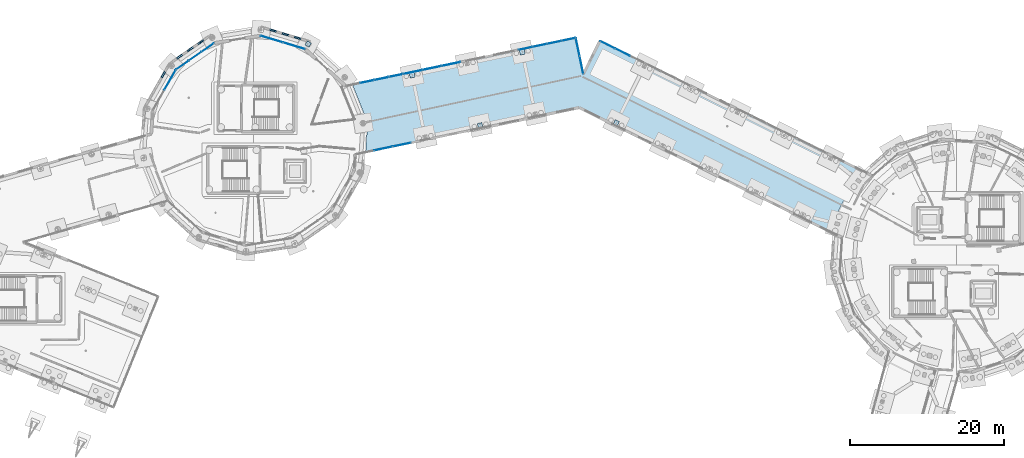
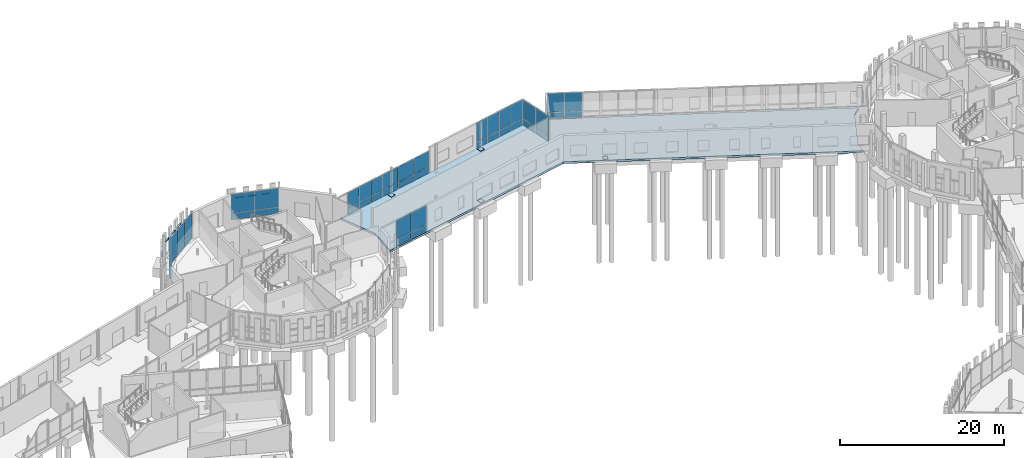
# One storey, part 70 of 113: 56 plates, 1 slab, 9 elements without a shape of their own.
"""IFC4 building model written with IfcOpenShell, lengths in metres."""

from ifc_helpers import new_model, si_unit, direction, frame, origin, origin_2d, place, context, subcontext, project, spatial, polyline, rectangle, outline, extrude, material, layer, layer_set, type_object, element, aggregate, save


model = new_model("IFC4")

# Units and contexts
model_context = context("Model", 3, precision=1e-05, world=origin(), true_north=direction((0.0, 1.0)))
body_context = subcontext(model_context, "Body", "Model", "MODEL_VIEW")
ifc_project = project(units=[si_unit("LENGTHUNIT", "METRE"), si_unit("AREAUNIT", "SQUARE_METRE"), si_unit("VOLUMEUNIT", "CUBIC_METRE"), si_unit("PLANEANGLEUNIT", "RADIAN"), si_unit("MASSUNIT", "GRAM", prefix="KILO")], contexts=[model_context])

# Site, building, storey
site_placement = place(None, origin())
site = spatial("IfcSite", under=ifc_project, at=site_placement, CompositionType="ELEMENT")
building_placement = place(site_placement, origin())
building = spatial("IfcBuilding", under=site, at=building_placement, Name="Wrenclough Park School", CompositionType="ELEMENT")
storey_placement = place(building_placement, origin())
storey = spatial("IfcBuildingStorey", under=building, at=storey_placement, Name="L00", CompositionType="ELEMENT", Elevation=0.0)

# Curtain wall, plates
ifc_material_1 = material(Name="Thermally broken aluminium and low-e glass curtain wall", Category="aluminium")
curtain_wall_type_1 = type_object("IfcCurtainWallType", Name="ENV-CW-13", PredefinedType="USERDEFINED", material=ifc_material_1)
curtain_wall_1_placement = place(storey_placement, origin())
curtain_wall_1 = element("IfcCurtainWall", 1, at=curtain_wall_1_placement, inside=storey, type_object=curtain_wall_type_1, Name="L00 recessed curtain wall assembly 012", ObjectType="CURTAIN WALL", PredefinedType="USERDEFINED")
ifc_material_2 = material(Name="Double-glazed solar-control low-e glass", Category="glass")
ifc_layer_1 = layer(ifc_material_2, 0.02587890625)
ifc_layer_set_1 = layer_set([ifc_layer_1], Name="Double-glazed solar-control low-e glass")
plate_type_1 = type_object("IfcPlateType", Name="ENV-CWP-GL26", PredefinedType="CURTAIN_PANEL", material=ifc_layer_set_1)
plate_1_placement = place(storey_placement, frame((73.753173828125, 118.3154296875, 0.06005859375), z_axis=(0.0, 0.0, 1.0), x_axis=(0.822000846783, 0.569486266638, 0.0)))
plate_1 = element("IfcPlate", 2, at=plate_1_placement, type_object=plate_type_1, Name="CW-13 panel 1.1", PredefinedType="CURTAIN_PANEL", context=body_context, shape_type="SweptSolid", body=[
    extrude(rectangle(XDim=1.93603515625, YDim=0.02587890625, at=origin_2d()), origin(), (0.0, 0.0, 1.0), 0.9599609375),
])
plate_2_placement = place(storey_placement, frame((73.753173828125, 118.3154296875, 1.080078125), z_axis=(0.0, 0.0, 1.0), x_axis=(0.822000846783, 0.569486266638, 0.0)))
plate_2 = element("IfcPlate", 3, at=plate_2_placement, type_object=plate_type_1, Name="CW-13 panel 1.2", PredefinedType="CURTAIN_PANEL", context=body_context, shape_type="SweptSolid", body=[
    extrude(rectangle(XDim=1.93603515625, YDim=0.02587890625, at=origin_2d()), origin(), (0.0, 0.0, 1.0), 2.800048828125),
])
plate_3_placement = place(storey_placement, frame((75.406494140625, 119.460693359375, 0.06005859375), z_axis=(0.0, 0.0, 1.0), x_axis=(0.822000846783, 0.569486266638, 0.0)))
plate_3 = element("IfcPlate", 4, at=plate_3_placement, type_object=plate_type_1, Name="CW-13 panel 2.1", PredefinedType="CURTAIN_PANEL", context=body_context, shape_type="SweptSolid", body=[
    extrude(rectangle(XDim=1.966064453125, YDim=0.02587890625, at=origin_2d()), origin(), (0.0, 0.0, 1.0), 0.9599609375),
])
plate_4_placement = place(storey_placement, frame((75.406494140625, 119.460693359375, 1.080078125), z_axis=(0.0, 0.0, 1.0), x_axis=(0.822000846783, 0.569486266638, 0.0)))
plate_4 = element("IfcPlate", 5, at=plate_4_placement, type_object=plate_type_1, Name="CW-13 panel 2.2", PredefinedType="CURTAIN_PANEL", context=body_context, shape_type="SweptSolid", body=[
    extrude(rectangle(XDim=1.966064453125, YDim=0.02587890625, at=origin_2d()), origin(), (0.0, 0.0, 1.0), 2.800048828125),
])
plate_5_placement = place(storey_placement, frame((77.0595703125, 120.60595703125, 0.06005859375), z_axis=(0.0, 0.0, 1.0), x_axis=(0.822000846783, 0.569486266638, 0.0)))
plate_5 = element("IfcPlate", 6, at=plate_5_placement, type_object=plate_type_1, Name="CW-13 panel 3.1", PredefinedType="CURTAIN_PANEL", context=body_context, shape_type="SweptSolid", body=[
    extrude(rectangle(XDim=1.93603515625, YDim=0.02587890625, at=origin_2d()), origin(), (0.0, 0.0, 1.0), 0.9599609375),
])
plate_6_placement = place(storey_placement, frame((77.0595703125, 120.60595703125, 1.080078125), z_axis=(0.0, 0.0, 1.0), x_axis=(0.822000846783, 0.569486266638, 0.0)))
plate_6 = element("IfcPlate", 7, at=plate_6_placement, type_object=plate_type_1, Name="CW-13 panel 3.2", PredefinedType="CURTAIN_PANEL", context=body_context, shape_type="SweptSolid", body=[
    extrude(rectangle(XDim=1.93603515625, YDim=0.02587890625, at=origin_2d()), origin(), (0.0, 0.0, 1.0), 2.800048828125),
])
aggregate(curtain_wall_1, [plate_1, plate_2, plate_3, plate_4, plate_5, plate_6])

curtain_wall_type_2 = type_object("IfcCurtainWallType", Name="ENV-CW-01", PredefinedType="USERDEFINED", material=ifc_material_1)
curtain_wall_2_placement = place(storey_placement, origin())
curtain_wall_2 = element("IfcCurtainWall", 8, at=curtain_wall_2_placement, inside=storey, type_object=curtain_wall_type_2, Name="L00 recessed curtain wall assembly 016", ObjectType="CURTAIN WALL", PredefinedType="USERDEFINED")
plate_7_placement = place(storey_placement, frame((118.43017578125, 120.49267578125, 0.06494140625), z_axis=(0.0, 0.0, 1.0), x_axis=(0.978788978052, 0.204871023923, 0.0)))
plate_7 = element("IfcPlate", 9, at=plate_7_placement, type_object=plate_type_1, Name="CW-01 panel 1.1", PredefinedType="CURTAIN_PANEL", context=body_context, shape_type="SweptSolid", body=[
    extrude(rectangle(XDim=1.8134765625, YDim=0.02587890625, at=origin_2d()), origin(), (0.0, 0.0, 1.0), 0.952392578125),
])
plate_8_placement = place(storey_placement, frame((118.43017578125, 120.49267578125, 1.08251953125), z_axis=(0.0, 0.0, 1.0), x_axis=(0.978788978052, 0.204871023923, 0.0)))
plate_8 = element("IfcPlate", 10, at=plate_8_placement, type_object=plate_type_1, Name="CW-01 panel 1.2", PredefinedType="CURTAIN_PANEL", context=body_context, shape_type="SweptSolid", body=[
    extrude(rectangle(XDim=1.8134765625, YDim=0.02587890625, at=origin_2d()), origin(), (0.0, 0.0, 1.0), 2.79248046875),
])
plate_9_placement = place(storey_placement, frame((120.28466796875, 120.880859375, 0.06494140625), z_axis=(0.0, 0.0, 1.0), x_axis=(0.978788978052, 0.204871023923, 0.0)))
plate_9 = element("IfcPlate", 11, at=plate_9_placement, type_object=plate_type_1, Name="CW-01 panel 2.1", PredefinedType="CURTAIN_PANEL", context=body_context, shape_type="SweptSolid", body=[
    extrude(rectangle(XDim=1.845947265625, YDim=0.02587890625, at=origin_2d()), origin(), (0.0, 0.0, 1.0), 0.952392578125),
])
plate_10_placement = place(storey_placement, frame((120.28466796875, 120.880859375, 1.08251953125), z_axis=(0.0, 0.0, 1.0), x_axis=(0.978788978052, 0.204871023923, 0.0)))
plate_10 = element("IfcPlate", 12, at=plate_10_placement, type_object=plate_type_1, Name="CW-01 panel 2.2", PredefinedType="CURTAIN_PANEL", context=body_context, shape_type="SweptSolid", body=[
    extrude(rectangle(XDim=1.845947265625, YDim=0.02587890625, at=origin_2d()), origin(), (0.0, 0.0, 1.0), 2.79248046875),
])
plate_11_placement = place(storey_placement, frame((122.1552734375, 121.272216796875, 0.06494140625), z_axis=(0.0, 0.0, 1.0), x_axis=(0.978788978052, 0.204871023923, 0.0)))
plate_11 = element("IfcPlate", 13, at=plate_11_placement, type_object=plate_type_1, Name="CW-01 panel 3.1", PredefinedType="CURTAIN_PANEL", context=body_context, shape_type="SweptSolid", body=[
    extrude(rectangle(XDim=1.845947265625, YDim=0.02587890625, at=origin_2d()), origin(), (0.0, 0.0, 1.0), 0.952392578125),
])
plate_12_placement = place(storey_placement, frame((122.1552734375, 121.272216796875, 1.08251953125), z_axis=(0.0, 0.0, 1.0), x_axis=(0.978788978052, 0.204871023923, 0.0)))
plate_12 = element("IfcPlate", 14, at=plate_12_placement, type_object=plate_type_1, Name="CW-01 panel 3.2", PredefinedType="CURTAIN_PANEL", context=body_context, shape_type="SweptSolid", body=[
    extrude(rectangle(XDim=1.845947265625, YDim=0.02587890625, at=origin_2d()), origin(), (0.0, 0.0, 1.0), 2.79248046875),
])
plate_13_placement = place(storey_placement, frame((124.009765625, 121.660400390625, 0.06494140625), z_axis=(0.0, 0.0, 1.0), x_axis=(0.978788978052, 0.204871023923, 0.0)))
plate_13 = element("IfcPlate", 15, at=plate_13_placement, type_object=plate_type_1, Name="CW-01 panel 4.1", PredefinedType="CURTAIN_PANEL", context=body_context, shape_type="SweptSolid", body=[
    extrude(rectangle(XDim=1.8134765625, YDim=0.02587890625, at=origin_2d()), origin(), (0.0, 0.0, 1.0), 0.952392578125),
])
plate_14_placement = place(storey_placement, frame((124.009765625, 121.660400390625, 1.08251953125), z_axis=(0.0, 0.0, 1.0), x_axis=(0.978788978052, 0.204871023923, 0.0)))
plate_14 = element("IfcPlate", 16, at=plate_14_placement, type_object=plate_type_1, Name="CW-01 panel 4.2", PredefinedType="CURTAIN_PANEL", context=body_context, shape_type="SweptSolid", body=[
    extrude(rectangle(XDim=1.8134765625, YDim=0.02587890625, at=origin_2d()), origin(), (0.0, 0.0, 1.0), 2.79248046875),
])
aggregate(curtain_wall_2, [plate_7, plate_8, plate_9, plate_10, plate_11, plate_12, plate_13, plate_14])

curtain_wall_type_3 = type_object("IfcCurtainWallType", Name="ENV-CW-02", PredefinedType="USERDEFINED", material=ifc_material_1)
curtain_wall_3_placement = place(storey_placement, origin())
curtain_wall_3 = element("IfcCurtainWall", 17, at=curtain_wall_3_placement, inside=storey, type_object=curtain_wall_type_3, Name="L00 recessed curtain wall assembly 017", ObjectType="CURTAIN WALL", PredefinedType="USERDEFINED")
ifc_material_3 = material(Name="Double-glazed acoustic low-e glass", Category="glass")
ifc_layer_2 = layer(ifc_material_3, 0.030029296875)
ifc_layer_set_2 = layer_set([ifc_layer_2], Name="Double-glazed acoustic low-e glass")
plate_type_2 = type_object("IfcPlateType", Name="ENV-CWP-GL30", PredefinedType="CURTAIN_PANEL", material=ifc_layer_set_2)
plate_15_placement = place(storey_placement, frame((125.2158203125, 120.66015625, 0.06982421875), z_axis=(0.0, 0.0, 1.0), x_axis=(0.20487147589, -0.978788883451, 0.0)))
plate_15 = element("IfcPlate", 18, at=plate_15_placement, type_object=plate_type_2, Name="CW-02 panel 1.1", PredefinedType="CURTAIN_PANEL", context=body_context, shape_type="SweptSolid", body=[
    extrude(rectangle(XDim=2.304443359375, YDim=0.030029296875, at=origin_2d()), origin(), (0.0, 0.0, 1.0), 0.945068359375),
])
plate_16_placement = place(storey_placement, frame((125.2158203125, 120.66015625, 1.0849609375), z_axis=(0.0, 0.0, 1.0), x_axis=(0.20487147589, -0.978788883451, 0.0)))
plate_16 = element("IfcPlate", 19, at=plate_16_placement, type_object=plate_type_2, Name="CW-02 panel 1.2", PredefinedType="CURTAIN_PANEL", context=body_context, shape_type="SweptSolid", body=[
    extrude(rectangle(XDim=2.304443359375, YDim=0.030029296875, at=origin_2d()), origin(), (0.0, 0.0, 1.0), 2.784912109375),
])
plate_17_placement = place(storey_placement, frame((125.702392578125, 118.3359375, 0.06982421875), z_axis=(0.0, 0.0, 1.0), x_axis=(0.20487147589, -0.978788883451, 0.0)))
plate_17 = element("IfcPlate", 20, at=plate_17_placement, type_object=plate_type_2, Name="CW-02 panel 2.1", PredefinedType="CURTAIN_PANEL", context=body_context, shape_type="SweptSolid", body=[
    extrude(rectangle(XDim=2.304443359375, YDim=0.030029296875, at=origin_2d()), origin(), (0.0, 0.0, 1.0), 0.945068359375),
])
plate_18_placement = place(storey_placement, frame((125.702392578125, 118.3359375, 1.0849609375), z_axis=(0.0, 0.0, 1.0), x_axis=(0.20487147589, -0.978788883451, 0.0)))
plate_18 = element("IfcPlate", 21, at=plate_18_placement, type_object=plate_type_2, Name="CW-02 panel 2.2", PredefinedType="CURTAIN_PANEL", context=body_context, shape_type="SweptSolid", body=[
    extrude(rectangle(XDim=2.304443359375, YDim=0.030029296875, at=origin_2d()), origin(), (0.0, 0.0, 1.0), 2.784912109375),
])
aggregate(curtain_wall_3, [plate_15, plate_16, plate_17, plate_18])

curtain_wall_4_placement = place(storey_placement, origin())
curtain_wall_4 = element("IfcCurtainWall", 22, at=curtain_wall_4_placement, inside=storey, type_object=curtain_wall_type_3, Name="L00 recessed curtain wall assembly 065", ObjectType="CURTAIN WALL", PredefinedType="USERDEFINED")
plate_19_placement = place(storey_placement, frame((102.297607421875, 107.9619140625, 0.06982421875), z_axis=(0.0, 0.0, 1.0), x_axis=(-0.978788431396, -0.204873635602, 0.0)))
plate_19 = element("IfcPlate", 23, at=plate_19_placement, type_object=plate_type_2, Name="CW-02 panel 1.1", PredefinedType="CURTAIN_PANEL", context=body_context, shape_type="SweptSolid", body=[
    extrude(rectangle(XDim=2.375, YDim=0.030029296875, at=origin_2d()), origin(), (0.0, 0.0, 1.0), 0.945068359375),
])
plate_20_placement = place(storey_placement, frame((102.297607421875, 107.9619140625, 1.0849609375), z_axis=(0.0, 0.0, 1.0), x_axis=(-0.978788431396, -0.204873635602, 0.0)))
plate_20 = element("IfcPlate", 24, at=plate_20_placement, type_object=plate_type_2, Name="CW-02 panel 1.2", PredefinedType="CURTAIN_PANEL", context=body_context, shape_type="SweptSolid", body=[
    extrude(rectangle(XDim=2.375, YDim=0.030029296875, at=origin_2d()), origin(), (0.0, 0.0, 1.0), 2.784912109375),
])
plate_21_placement = place(storey_placement, frame((99.887451171875, 107.45751953125, 0.06982421875), z_axis=(0.0, 0.0, 1.0), x_axis=(-0.978788431396, -0.204873635602, 0.0)))
plate_21 = element("IfcPlate", 25, at=plate_21_placement, type_object=plate_type_2, Name="CW-02 panel 2.1", PredefinedType="CURTAIN_PANEL", context=body_context, shape_type="SweptSolid", body=[
    extrude(rectangle(XDim=2.409912109375, YDim=0.030029296875, at=origin_2d()), origin(), (0.0, 0.0, 1.0), 0.945068359375),
])
plate_22_placement = place(storey_placement, frame((99.887451171875, 107.45751953125, 1.0849609375), z_axis=(0.0, 0.0, 1.0), x_axis=(-0.978788431396, -0.204873635602, 0.0)))
plate_22 = element("IfcPlate", 26, at=plate_22_placement, type_object=plate_type_2, Name="CW-02 panel 2.2", PredefinedType="CURTAIN_PANEL", context=body_context, shape_type="SweptSolid", body=[
    extrude(rectangle(XDim=2.409912109375, YDim=0.030029296875, at=origin_2d()), origin(), (0.0, 0.0, 1.0), 2.784912109375),
])
aggregate(curtain_wall_4, [plate_19, plate_20, plate_21, plate_22])

curtain_wall_type_4 = type_object("IfcCurtainWallType", Name="ENV-CW-03", PredefinedType="USERDEFINED", material=ifc_material_1)
curtain_wall_5_placement = place(storey_placement, origin())
curtain_wall_5 = element("IfcCurtainWall", 27, at=curtain_wall_5_placement, inside=storey, type_object=curtain_wall_type_4, Name="L00 recessed curtain wall assembly 018", ObjectType="CURTAIN WALL", PredefinedType="USERDEFINED")
ifc_material_4 = material(Name="Triple-glazed senior-lab low-e glass", Category="glass")
ifc_layer_3 = layer(ifc_material_4, 0.033935546875)
ifc_layer_set_3 = layer_set([ifc_layer_3], Name="Triple-glazed senior-lab low-e glass")
plate_type_3 = type_object("IfcPlateType", Name="ENV-CWP-GL34", PredefinedType="CURTAIN_PANEL", material=ifc_layer_set_3)
plate_23_placement = place(storey_placement, frame((129.096923828125, 120.9658203125, 0.06005859375), z_axis=(0.0, 0.0, 1.0), x_axis=(0.896268771377, -0.443511318294, 0.0)))
plate_23 = element("IfcPlate", 28, at=plate_23_placement, type_object=plate_type_3, Name="CW-03 panel 1.1", PredefinedType="CURTAIN_PANEL", context=body_context, shape_type="SweptSolid", body=[
    extrude(rectangle(XDim=2.109130859375, YDim=0.033935546875, at=origin_2d()), origin(), (0.0, 0.0, 1.0), 0.9599609375),
])
plate_24_placement = place(storey_placement, frame((129.096923828125, 120.9658203125, 1.080078125), z_axis=(0.0, 0.0, 1.0), x_axis=(0.896268771377, -0.443511318294, 0.0)))
plate_24 = element("IfcPlate", 29, at=plate_24_placement, type_object=plate_type_3, Name="CW-03 panel 1.2", PredefinedType="CURTAIN_PANEL", context=body_context, shape_type="SweptSolid", body=[
    extrude(rectangle(XDim=2.109130859375, YDim=0.033935546875, at=origin_2d()), origin(), (0.0, 0.0, 1.0), 2.800048828125),
])
plate_25_placement = place(storey_placement, frame((131.0546875, 119.997314453125, 0.06005859375), z_axis=(0.0, 0.0, 1.0), x_axis=(0.896268771377, -0.443511318294, 0.0)))
plate_25 = element("IfcPlate", 30, at=plate_25_placement, type_object=plate_type_3, Name="CW-03 panel 2.1", PredefinedType="CURTAIN_PANEL", context=body_context, shape_type="SweptSolid", body=[
    extrude(rectangle(XDim=2.13916015625, YDim=0.033935546875, at=origin_2d()), origin(), (0.0, 0.0, 1.0), 0.9599609375),
])
plate_26_placement = place(storey_placement, frame((131.0546875, 119.997314453125, 1.080078125), z_axis=(0.0, 0.0, 1.0), x_axis=(0.896268771377, -0.443511318294, 0.0)))
plate_26 = element("IfcPlate", 31, at=plate_26_placement, type_object=plate_type_3, Name="CW-03 panel 2.2", PredefinedType="CURTAIN_PANEL", context=body_context, shape_type="SweptSolid", body=[
    extrude(rectangle(XDim=2.13916015625, YDim=0.033935546875, at=origin_2d()), origin(), (0.0, 0.0, 1.0), 2.800048828125),
])
aggregate(curtain_wall_5, [plate_23, plate_24, plate_25, plate_26])

curtain_wall_type_5 = type_object("IfcCurtainWallType", Name="ENV-CW-12", PredefinedType="USERDEFINED", material=ifc_material_1)
curtain_wall_6_placement = place(storey_placement, origin())
curtain_wall_6 = element("IfcCurtainWall", 32, at=curtain_wall_6_placement, inside=storey, type_object=curtain_wall_type_5, Name="L00 recessed curtain wall assembly 011", ObjectType="CURTAIN WALL", PredefinedType="USERDEFINED")
ifc_material_5 = material(Name="Laminated sports-concourse safety glass", Category="glass")
ifc_layer_4 = layer(ifc_material_5, 0.0380859375)
ifc_layer_set_4 = layer_set([ifc_layer_4], Name="Laminated sports-concourse safety glass")
plate_type_4 = type_object("IfcPlateType", Name="ENV-CWP-GL38", PredefinedType="CURTAIN_PANEL", material=ifc_layer_set_4)
plate_27_placement = place(storey_placement, frame((72.144287109375, 116.386962890625, 0.06982421875), z_axis=(0.0, 0.0, 1.0), x_axis=(0.493500599274, 0.869745456163, 0.0)))
plate_27 = element("IfcPlate", 33, at=plate_27_placement, type_object=plate_type_4, Name="CW-12 panel 2.1", PredefinedType="CURTAIN_PANEL", context=body_context, shape_type="SweptSolid", body=[
    extrude(rectangle(XDim=2.9345703125, YDim=0.0380859375, at=origin_2d()), origin(), (0.0, 0.0, 1.0), 0.945068359375),
])
plate_28_placement = place(storey_placement, frame((72.144287109375, 116.386962890625, 1.0849609375), z_axis=(0.0, 0.0, 1.0), x_axis=(0.493500599274, 0.869745456163, 0.0)))
plate_28 = element("IfcPlate", 34, at=plate_28_placement, type_object=plate_type_4, Name="CW-12 panel 2.2", PredefinedType="CURTAIN_PANEL", context=body_context, shape_type="SweptSolid", body=[
    extrude(rectangle(XDim=2.9345703125, YDim=0.0380859375, at=origin_2d()), origin(), (0.0, 0.0, 1.0), 2.784912109375),
])
aggregate(curtain_wall_6, [plate_27, plate_28])

curtain_wall_type_6 = type_object("IfcCurtainWallType", Name="ENV-CW-14", PredefinedType="USERDEFINED", material=ifc_material_1)
curtain_wall_7_placement = place(storey_placement, origin())
curtain_wall_7 = element("IfcCurtainWall", 35, at=curtain_wall_7_placement, inside=storey, type_object=curtain_wall_type_6, Name="L00 recessed curtain wall assembly 013", ObjectType="CURTAIN WALL", PredefinedType="USERDEFINED")
ifc_material_6 = material(Name="Insulated anodised aluminium spandrel panel", Category="aluminium")
ifc_layer_5 = layer(ifc_material_6, 0.0419921875)
ifc_layer_set_5 = layer_set([ifc_layer_5], Name="Insulated anodised aluminium spandrel panel")
plate_type_5 = type_object("IfcPlateType", Name="ENV-CWP-SP42", PredefinedType="CURTAIN_PANEL", material=ifc_layer_set_5)
plate_29_placement = place(storey_placement, frame((85.39501953125, 121.702880859375, 0.06494140625), z_axis=(0.0, 0.0, 1.0), x_axis=(0.957755621798, -0.287583325168, 0.0)))
plate_29 = element("IfcPlate", 36, at=plate_29_placement, type_object=plate_type_5, Name="CW-14 panel 1.1", PredefinedType="CURTAIN_PANEL", context=body_context, shape_type="SweptSolid", body=[
    extrude(rectangle(XDim=2.94189453125, YDim=0.0419921875, at=origin_2d()), origin(), (0.0, 0.0, 1.0), 0.952392578125),
])
plate_30_placement = place(storey_placement, frame((85.39501953125, 121.702880859375, 1.08251953125), z_axis=(0.0, 0.0, 1.0), x_axis=(0.957755621798, -0.287583325168, 0.0)))
plate_30 = element("IfcPlate", 37, at=plate_30_placement, type_object=plate_type_5, Name="CW-14 panel 1.2", PredefinedType="CURTAIN_PANEL", context=body_context, shape_type="SweptSolid", body=[
    extrude(rectangle(XDim=2.94189453125, YDim=0.0419921875, at=origin_2d()), origin(), (0.0, 0.0, 1.0), 2.79248046875),
])
plate_31_placement = place(storey_placement, frame((88.274658203125, 120.83837890625, 0.06494140625), z_axis=(0.0, 0.0, 1.0), x_axis=(0.957755621798, -0.287583325168, 0.0)))
plate_31 = element("IfcPlate", 38, at=plate_31_placement, type_object=plate_type_5, Name="CW-14 panel 2.1", PredefinedType="CURTAIN_PANEL", context=body_context, shape_type="SweptSolid", body=[
    extrude(rectangle(XDim=2.94189453125, YDim=0.0419921875, at=origin_2d()), origin(), (0.0, 0.0, 1.0), 0.952392578125),
])
plate_32_placement = place(storey_placement, frame((88.274658203125, 120.83837890625, 1.08251953125), z_axis=(0.0, 0.0, 1.0), x_axis=(0.957755621798, -0.287583325168, 0.0)))
plate_32 = element("IfcPlate", 39, at=plate_32_placement, type_object=plate_type_5, Name="CW-14 panel 2.2", PredefinedType="CURTAIN_PANEL", context=body_context, shape_type="SweptSolid", body=[
    extrude(rectangle(XDim=2.94189453125, YDim=0.0419921875, at=origin_2d()), origin(), (0.0, 0.0, 1.0), 2.79248046875),
])
aggregate(curtain_wall_7, [plate_29, plate_30, plate_31, plate_32])

curtain_wall_type_7 = type_object("IfcCurtainWallType", Name="ENV-CW-15", PredefinedType="USERDEFINED", material=ifc_material_1)
curtain_wall_8_placement = place(storey_placement, origin())
curtain_wall_8 = element("IfcCurtainWall", 40, at=curtain_wall_8_placement, inside=storey, type_object=curtain_wall_type_7, Name="L00 recessed curtain wall assembly 014", ObjectType="CURTAIN WALL", PredefinedType="USERDEFINED")
ifc_material_7 = material(Name="Insulated patinated copper-toned spandrel panel", Category="aluminium")
ifc_layer_6 = layer(ifc_material_7, 0.048095703125)
ifc_layer_set_6 = layer_set([ifc_layer_6], Name="Insulated patinated copper-toned spandrel panel")
plate_type_6 = type_object("IfcPlateType", Name="ENV-CWP-SP48", PredefinedType="CURTAIN_PANEL", material=ifc_layer_set_6)
plate_33_placement = place(storey_placement, frame((97.816162109375, 116.17822265625, 0.06982421875), z_axis=(0.0, 0.0, 1.0), x_axis=(0.978788978052, 0.204871023923, 0.0)))
plate_33 = element("IfcPlate", 41, at=plate_33_placement, type_object=plate_type_6, Name="CW-15 panel 2.1", PredefinedType="CURTAIN_PANEL", context=body_context, shape_type="SweptSolid", body=[
    extrude(rectangle(XDim=1.841064453125, YDim=0.048095703125, at=origin_2d()), origin(), (0.0, 0.0, 1.0), 0.945068359375),
])
plate_34_placement = place(storey_placement, frame((97.816162109375, 116.17822265625, 1.0849609375), z_axis=(0.0, 0.0, 1.0), x_axis=(0.978788978052, 0.204871023923, 0.0)))
plate_34 = element("IfcPlate", 42, at=plate_34_placement, type_object=plate_type_6, Name="CW-15 panel 2.2", PredefinedType="CURTAIN_PANEL", context=body_context, shape_type="SweptSolid", body=[
    extrude(rectangle(XDim=1.841064453125, YDim=0.048095703125, at=origin_2d()), origin(), (0.0, 0.0, 1.0), 2.243896484375),
])
plate_35_placement = place(storey_placement, frame((99.686767578125, 116.569580078125, 0.06982421875), z_axis=(0.0, 0.0, 1.0), x_axis=(0.978788978052, 0.204871023923, 0.0)))
plate_35 = element("IfcPlate", 43, at=plate_35_placement, type_object=plate_type_6, Name="CW-15 panel 3.1", PredefinedType="CURTAIN_PANEL", context=body_context, shape_type="SweptSolid", body=[
    extrude(rectangle(XDim=1.841064453125, YDim=0.048095703125, at=origin_2d()), origin(), (0.0, 0.0, 1.0), 0.945068359375),
])
plate_36_placement = place(storey_placement, frame((99.686767578125, 116.569580078125, 1.0849609375), z_axis=(0.0, 0.0, 1.0), x_axis=(0.978788978052, 0.204871023923, 0.0)))
plate_36 = element("IfcPlate", 44, at=plate_36_placement, type_object=plate_type_6, Name="CW-15 panel 3.2", PredefinedType="CURTAIN_PANEL", context=body_context, shape_type="SweptSolid", body=[
    extrude(rectangle(XDim=1.841064453125, YDim=0.048095703125, at=origin_2d()), origin(), (0.0, 0.0, 1.0), 2.243896484375),
])
plate_37_placement = place(storey_placement, frame((101.5400390625, 116.95751953125, 0.06982421875), z_axis=(0.0, 0.0, 1.0), x_axis=(0.978788978052, 0.204871023923, 0.0)))
plate_37 = element("IfcPlate", 45, at=plate_37_placement, type_object=plate_type_6, Name="CW-15 panel 4.1", PredefinedType="CURTAIN_PANEL", context=body_context, shape_type="SweptSolid", body=[
    extrude(rectangle(XDim=1.805908203125, YDim=0.048095703125, at=origin_2d()), origin(), (0.0, 0.0, 1.0), 0.945068359375),
])
plate_38_placement = place(storey_placement, frame((101.5400390625, 116.95751953125, 1.0849609375), z_axis=(0.0, 0.0, 1.0), x_axis=(0.978788978052, 0.204871023923, 0.0)))
plate_38 = element("IfcPlate", 46, at=plate_38_placement, type_object=plate_type_6, Name="CW-15 panel 4.2", PredefinedType="CURTAIN_PANEL", context=body_context, shape_type="SweptSolid", body=[
    extrude(rectangle(XDim=1.805908203125, YDim=0.048095703125, at=origin_2d()), origin(), (0.0, 0.0, 1.0), 2.243896484375),
])
aggregate(curtain_wall_8, [plate_33, plate_34, plate_35, plate_36, plate_37, plate_38])

curtain_wall_type_8 = type_object("IfcCurtainWallType", Name="ENV-CW-16", PredefinedType="USERDEFINED", material=ifc_material_1)
curtain_wall_9_placement = place(storey_placement, origin())
curtain_wall_9 = element("IfcCurtainWall", 47, at=curtain_wall_9_placement, inside=storey, type_object=curtain_wall_type_8, Name="L00 recessed curtain wall assembly 015", ObjectType="CURTAIN WALL", PredefinedType="USERDEFINED")
ifc_material_8 = material(Name="Acoustic mineral-wool spandrel cassette", Category="aluminium")
ifc_layer_7 = layer(ifc_material_8, 0.053955078125)
ifc_layer_set_7 = layer_set([ifc_layer_7], Name="Acoustic mineral-wool spandrel cassette")
plate_type_7 = type_object("IfcPlateType", Name="ENV-CWP-SP54", PredefinedType="CURTAIN_PANEL", material=ifc_layer_set_7)
plate_39_placement = place(storey_placement, frame((103.76171875, 117.422607421875, 0.06005859375), z_axis=(0.0, 0.0, 1.0), x_axis=(0.978791601344, 0.204858490521, 0.0)))
plate_39 = element("IfcPlate", 48, at=plate_39_placement, type_object=plate_type_7, Name="CW-16 panel 1.1", PredefinedType="CURTAIN_PANEL", context=body_context, shape_type="SweptSolid", body=[
    extrude(rectangle(XDim=2.4580078125, YDim=0.053955078125, at=origin_2d()), origin(), (0.0, 0.0, 1.0), 0.9599609375),
])
plate_40_placement = place(storey_placement, frame((103.76171875, 117.422607421875, 1.080078125), z_axis=(0.0, 0.0, 1.0), x_axis=(0.978791601344, 0.204858490521, 0.0)))
plate_40 = element("IfcPlate", 49, at=plate_40_placement, type_object=plate_type_7, Name="CW-16 panel 1.2", PredefinedType="CURTAIN_PANEL", context=body_context, shape_type="SweptSolid", body=[
    extrude(rectangle(XDim=2.4580078125, YDim=0.053955078125, at=origin_2d()), origin(), (0.0, 0.0, 1.0), 2.2587890625),
])
plate_41_placement = place(storey_placement, frame((106.240966796875, 117.94140625, 0.06005859375), z_axis=(0.0, 0.0, 1.0), x_axis=(0.978791601344, 0.204858490521, 0.0)))
plate_41 = element("IfcPlate", 50, at=plate_41_placement, type_object=plate_type_7, Name="CW-16 panel 2.1", PredefinedType="CURTAIN_PANEL", context=body_context, shape_type="SweptSolid", body=[
    extrude(rectangle(XDim=2.488037109375, YDim=0.053955078125, at=origin_2d()), origin(), (0.0, 0.0, 1.0), 0.9599609375),
])
plate_42_placement = place(storey_placement, frame((106.240966796875, 117.94140625, 1.080078125), z_axis=(0.0, 0.0, 1.0), x_axis=(0.978791601344, 0.204858490521, 0.0)))
plate_42 = element("IfcPlate", 51, at=plate_42_placement, type_object=plate_type_7, Name="CW-16 panel 2.2", PredefinedType="CURTAIN_PANEL", context=body_context, shape_type="SweptSolid", body=[
    extrude(rectangle(XDim=2.488037109375, YDim=0.053955078125, at=origin_2d()), origin(), (0.0, 0.0, 1.0), 2.2587890625),
])
plate_43_placement = place(storey_placement, frame((108.72021484375, 118.46044921875, 0.06005859375), z_axis=(0.0, 0.0, 1.0), x_axis=(0.978791601344, 0.204858490521, 0.0)))
plate_43 = element("IfcPlate", 52, at=plate_43_placement, type_object=plate_type_7, Name="CW-16 panel 3.1", PredefinedType="CURTAIN_PANEL", context=body_context, shape_type="SweptSolid", body=[
    extrude(rectangle(XDim=2.4580078125, YDim=0.053955078125, at=origin_2d()), origin(), (0.0, 0.0, 1.0), 0.9599609375),
])
plate_44_placement = place(storey_placement, frame((108.72021484375, 118.46044921875, 1.080078125), z_axis=(0.0, 0.0, 1.0), x_axis=(0.978791601344, 0.204858490521, 0.0)))
plate_44 = element("IfcPlate", 53, at=plate_44_placement, type_object=plate_type_7, Name="CW-16 panel 3.2", PredefinedType="CURTAIN_PANEL", context=body_context, shape_type="SweptSolid", body=[
    extrude(rectangle(XDim=2.4580078125, YDim=0.053955078125, at=origin_2d()), origin(), (0.0, 0.0, 1.0), 2.2587890625),
])
aggregate(curtain_wall_9, [plate_39, plate_40, plate_41, plate_42, plate_43, plate_44])

# Plates
ifc_material_9 = material(Name="Anodised architectural aluminium solar shading fin plate", Category="aluminium")
ifc_layer_8 = layer(ifc_material_9, 0.0380859375)
ifc_layer_set_8 = layer_set([ifc_layer_8], Name="Anodised architectural aluminium solar shading fin plate")
plate_type_8 = type_object("IfcPlateType", Name="ENV-PL-BSF", PredefinedType="SHEET", material=ifc_layer_set_8)
for number, where, z_axis, x_axis, name in (
    (54, (88.75244140625, 121.853759765625, 2.4951171875), (0.0, 0.0, 1.0), (-0.957751215921, 0.287597997911, 0.0), "D4 L00 open-bond brick screen tie band 0079"),
    (55, (87.154052734375, 122.333740234375, 2.4951171875), (0.0, 0.0, 1.0), (-0.957751215921, 0.287597997911, 0.0), "D4 L00 open-bond brick screen tie band 0080"),
    (56, (85.5556640625, 122.813720703125, 2.4951171875), (0.0, 0.0, 1.0), (-0.957751215921, 0.287597997911, 0.0), "D4 L00 open-bond brick screen tie band 0081"),
):
    element("IfcPlate", number, at=place(storey_placement, frame(where, z_axis=z_axis, x_axis=x_axis)), inside=storey, type_object=plate_type_8, Name=name, PredefinedType="SHEET", context=body_context, shape_type="SweptSolid", body=[
        extrude(rectangle(XDim=1.017822265625, YDim=0.219970703125, at=origin_2d()), origin(), (0.0, 0.0, 1.0), 0.0419921875),
    ])
plate_45_placement = place(storey_placement, frame((76.146240234375, 121.3232421875, 2.4951171875), z_axis=(0.0, 0.0, 1.0), x_axis=(-0.8220077158, -0.569476351718, 0.0)))
element("IfcPlate", 57, at=plate_45_placement, inside=storey, type_object=plate_type_8, Name="D4 L00 open-bond brick screen tie band 0082", PredefinedType="SHEET", context=body_context, shape_type="SweptSolid", body=[
    extrude(rectangle(XDim=1.01806640625, YDim=0.219970703125, at=origin_2d()), origin(), (0.0, 0.0, 1.0), 0.0419921875),
])
plate_46_placement = place(storey_placement, frame((74.7744140625, 120.372802734375, 2.4951171875), z_axis=(0.0, 0.0, 1.0), x_axis=(-0.8220077158, -0.569476351718, 0.0)))
element("IfcPlate", 58, at=plate_46_placement, inside=storey, type_object=plate_type_8, Name="D4 L00 open-bond brick screen tie band 0083", PredefinedType="SHEET", context=body_context, shape_type="SweptSolid", body=[
    extrude(rectangle(XDim=1.017822265625, YDim=0.219970703125, at=origin_2d()), origin(), (0.0, 0.0, 1.0), 0.0419921875),
])
plate_47_placement = place(storey_placement, frame((73.402587890625, 119.422607421875, 2.4951171875), z_axis=(0.0, 0.0, 1.0), x_axis=(-0.8220077158, -0.569476351718, 0.0)))
element("IfcPlate", 59, at=plate_47_placement, inside=storey, type_object=plate_type_8, Name="D4 L00 open-bond brick screen tie band 0084", PredefinedType="SHEET", context=body_context, shape_type="SweptSolid", body=[
    extrude(rectangle(XDim=1.01806640625, YDim=0.219970703125, at=origin_2d()), origin(), (0.0, 0.0, 1.0), 0.0419921875),
])
plate_48_placement = place(storey_placement, frame((71.26123046875, 117.079833984375, 2.4951171875), z_axis=(0.0, 0.0, 1.0), x_axis=(-0.493508752009, -0.869740830185, 0.0)))
element("IfcPlate", 60, at=plate_48_placement, inside=storey, type_object=plate_type_8, Name="D4 L00 open-bond brick screen tie band 0085", PredefinedType="SHEET", context=body_context, shape_type="SweptSolid", body=[
    extrude(rectangle(XDim=1.017822265625, YDim=0.219970703125, at=origin_2d()), origin(), (0.0, 0.0, 1.0), 0.0419921875),
])
ifc_material_10 = material(Name="Structural steel S355", Category="steel")
ifc_layer_9 = layer(ifc_material_10, 0.031982421875)
ifc_layer_set_9 = layer_set([ifc_layer_9], Name="Structural steel S355")
plate_type_9 = type_object("IfcPlateType", Name="STR-PL-BP1", PredefinedType="SHEET", material=ifc_layer_set_9)
for number, where, z_axis, x_axis, name in (
    (61, (103.66015625, 117.012939453125, 0.0), (0.0, 0.0, 1.0), (0.978795946539, 0.204837728554, 0.0), "Steel column baseplate W45-C1-L03"),
    (62, (117.993408203125, 120.012939453125, 0.0), (0.0, 0.0, 1.0), (0.978795946539, 0.204837728554, 0.0), "Steel column baseplate W45-C1-L05"),
):
    element("IfcPlate", number, at=place(storey_placement, frame(where, z_axis=z_axis, x_axis=x_axis)), inside=storey, type_object=plate_type_9, Name=name, PredefinedType="SHEET", context=body_context, shape_type="SweptSolid", body=[
        extrude(rectangle(XDim=0.64990234375, YDim=0.64990234375, at=origin_2d()), origin(), (0.0, 0.0, 1.0), 0.031982421875),
    ])
ifc_layer_10 = layer(ifc_material_10, 0.030029296875)
ifc_layer_set_10 = layer_set([ifc_layer_10], Name="Structural steel S355")
plate_type_10 = type_object("IfcPlateType", Name="STR-PL-BP4", PredefinedType="SHEET", material=ifc_layer_set_10)
for number, where, z_axis, x_axis, name in (
    (63, (90.131103515625, 121.06787109375, 0.0), (0.0, 0.0, 1.0), (-0.869753437661, 0.493486532416, 0.0), "Steel column baseplate D4-OUT-03"),
    (64, (112.506591796875, 110.487060546875, 0.0), (0.0, 0.0, 1.0), (0.978795946539, 0.204837728554, 0.0), "Steel column baseplate W45-C1-R04"),
    (65, (130.244140625, 110.8251953125, 0.0), (0.0, 0.0, 1.0), (0.896254315973, -0.443540529265, 0.0), "Steel column baseplate W45-C2-R01"),
):
    element("IfcPlate", number, at=place(storey_placement, frame(where, z_axis=z_axis, x_axis=x_axis)), inside=storey, type_object=plate_type_10, Name=name, PredefinedType="SHEET", context=body_context, shape_type="SweptSolid", body=[
        extrude(rectangle(XDim=0.60009765625, YDim=0.60009765625, at=origin_2d()), origin(), (0.0, 0.0, 1.0), 0.030029296875),
    ])

# Slab
ifc_material_11 = material(Name="Concrete C35/45", Category="concrete")
ifc_layer_11 = layer(ifc_material_11, 0.300048828125)
ifc_layer_set_11 = layer_set([ifc_layer_11], Name="Concrete C35/45")
slab_type = type_object("IfcSlabType", Name="STR-SL-BASE300", PredefinedType="BASESLAB", material=ifc_layer_set_11)
slab_placement = place(storey_placement, frame((0.0, 0.0, -0.300048828125)))
element("IfcSlab", 66, at=slab_placement, inside=storey, type_object=slab_type, Name="W45 L00 structural slab SLAB-W45-L00", PredefinedType="BASESLAB", context=body_context, shape_type="SweptSolid", body=[
    extrude(outline(polyline([(125.385498046875, 112.671630859375), (158.322265625, 96.373291015625), (158.418701171875, 97.81396484375), (161.285400390625, 103.62744140625), (162.4072265625, 104.616455078125), (128.040283203125, 121.622802734375), (126.0, 117.5), (125.0576171875, 122.00244140625), (95.8466796875, 115.888427734375), (97.8642578125, 110.8564453125), (97.596435546875, 106.855224609375), (125.385498046875, 112.671630859375)])), origin(), (0.0, 0.0, 1.0), 0.300048828125),
])

save(model, "model.ifc")
